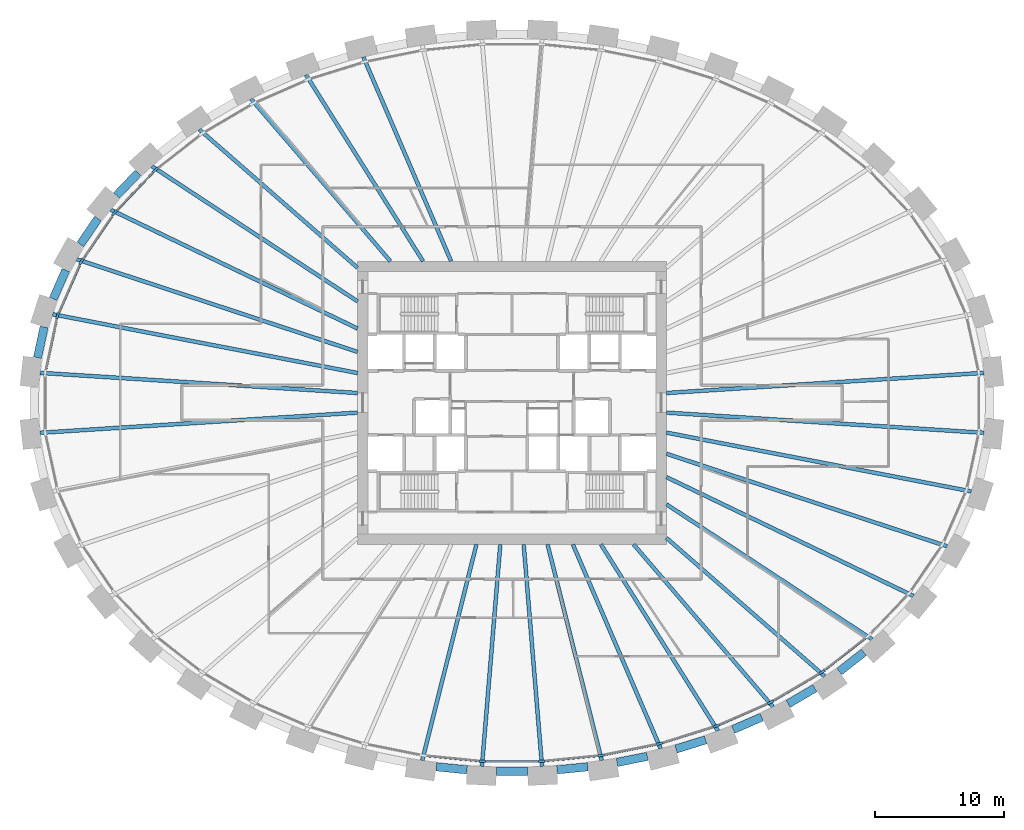
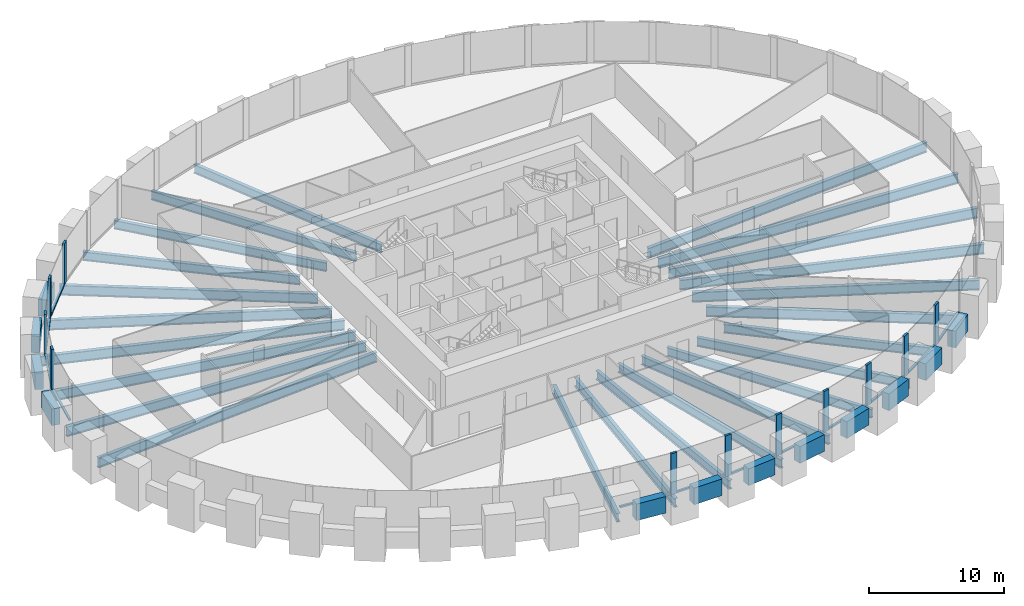
# One storey, part 2 of 10: 36 beams, 23 members, 1 element without a shape of its own.
"""IFC4 building model written with IfcOpenShell, lengths in metres."""

import ifcopenshell
import ifcopenshell.guid

model = None  # the IFC model being written
_history = None  # IfcOwnerHistory: only IFC2X3 demands one
_inside = {}  # id of a spatial element -> (the spatial element, [elements in it])
_under = {}  # id of a project, library or spatial element -> (it, [spatial elements below it])
_declared = {}  # id of a project -> (the project, [libraries it declares])
_typed = {}  # id of a type object -> (the type object, [elements of that type])
_made_of = {}  # id of a material, layer set ... -> (it, [elements and type objects made of it])


def new_model(schema):
    """Start an empty IFC model of exactly this schema.

    Asked for "IFC4X3", IfcOpenShell would pick the latest addendum, in which some entities
    have other attributes; the version numbers below select the first issue.
    IFC2X3 requires an IfcOwnerHistory on every rooted entity: one is made here for all.
    """
    global model, _history
    if schema == "IFC4X3":
        model = ifcopenshell.file(schema_version=(4, 3, 0, 0))
    else:
        model = ifcopenshell.file(schema=schema)
    _inside.clear()
    _under.clear()
    _declared.clear()
    _typed.clear()
    _made_of.clear()
    _history = None
    if model.schema == "IFC2X3":
        org = make("IfcOrganization", Name="unknown")
        user = make(
            "IfcPersonAndOrganization",
            ThePerson=make("IfcPerson", FamilyName="unknown"),
            TheOrganization=org,
        )
        app = make(
            "IfcApplication",
            ApplicationDeveloper=org,
            Version="unknown",
            ApplicationFullName="unknown",
            ApplicationIdentifier="unknown",
        )
        _history = make(
            "IfcOwnerHistory",
            OwningUser=user,
            OwningApplication=app,
            ChangeAction="ADDED",
            CreationDate=0,
        )
    return model


def make(cls, **values):
    """One entity of the class cls with the attributes given. An attribute that is None is left unset."""
    return model.create_entity(
        cls, **{name: value for name, value in values.items() if value is not None}
    )


def rooted(cls, **values):
    """An entity with a GlobalId (a new one), such as an element, a storey or a relation."""
    return make(cls, GlobalId=ifcopenshell.guid.new(), OwnerHistory=_history, **values)


def si_unit(unit_type, name, prefix=None):
    """IfcSIUnit, for example si_unit("LENGTHUNIT", "METRE", prefix="MILLI")."""
    return make("IfcSIUnit", UnitType=unit_type, Prefix=prefix, Name=name)


def assignment(units):
    """IfcUnitAssignment: the units of a project."""
    return None if units is None else make("IfcUnitAssignment", Units=units)


def point(xyz):
    """IfcCartesianPoint."""
    return None if xyz is None else make("IfcCartesianPoint", Coordinates=xyz)


def direction(xyz):
    """IfcDirection."""
    return None if xyz is None else make("IfcDirection", DirectionRatios=xyz)


def frame(location, z_axis=None, x_axis=None):
    """IfcAxis2Placement3D, a coordinate frame: its origin and axes. An axis left out is left unset."""
    return make(
        "IfcAxis2Placement3D",
        Location=point(location),
        Axis=direction(z_axis),
        RefDirection=direction(x_axis),
    )


def frame_2d(location, x_axis=None):
    """IfcAxis2Placement2D, a coordinate frame in the plane: its origin and x axis."""
    return make(
        "IfcAxis2Placement2D", Location=point(location), RefDirection=direction(x_axis)
    )


def origin():
    """The frame at (0, 0, 0) with its axes left unset."""
    return frame((0.0, 0.0, 0.0))


def origin_2d():
    """The frame at (0, 0) in the plane with its x axis left unset."""
    return frame_2d((0.0, 0.0))


def place(relative_to, where):
    """IfcLocalPlacement: puts the frame where relative to a parent placement (None: the world)."""
    return make(
        "IfcLocalPlacement", PlacementRelTo=relative_to, RelativePlacement=where
    )


def context(
    kind, dimensions, precision=None, world=None, true_north=None, identifier=None
):
    """IfcGeometricRepresentationContext, for example the 3D "Model" context."""
    return make(
        "IfcGeometricRepresentationContext",
        ContextIdentifier=identifier,
        ContextType=kind,
        CoordinateSpaceDimension=dimensions,
        Precision=precision,
        WorldCoordinateSystem=world,
        TrueNorth=true_north,
    )


def subcontext(parent, identifier, kind, view, scale=None):
    """IfcGeometricRepresentationSubContext, for example "Body" below "Model"."""
    return make(
        "IfcGeometricRepresentationSubContext",
        ContextIdentifier=identifier,
        ContextType=kind,
        ParentContext=parent,
        TargetScale=scale,
        TargetView=view,
    )


def project(units=None, contexts=None):
    """IfcProject with its units and contexts."""
    return rooted(
        "IfcProject",
        Name="project",
        RepresentationContexts=contexts,
        UnitsInContext=assignment(units),
    )


def spatial(cls, under=None, at=None, **own):
    """A site, building, storey or space (cls), placed at a placement, below another one or the project."""
    s = rooted(cls, ObjectPlacement=at, **own)
    if under is not None:
        _under.setdefault(under.id(), (under, []))[1].append(s)
    return s


def profile(cls, at=None, kind="AREA", **sizes):
    """A parametric profile (cls). Its sizes go by their IFC names, for example OverallWidth=200.0."""
    return make(cls, ProfileType=kind, Position=at, **sizes)


def rectangle(**sizes):
    """IfcRectangleProfileDef."""
    return profile("IfcRectangleProfileDef", **sizes)


def i_section(**sizes):
    """IfcIShapeProfileDef."""
    return profile("IfcIShapeProfileDef", **sizes)


def extrude(swept, where, along, depth):
    """IfcExtrudedAreaSolid: the profile swept, set in the frame where, extruded along a direction by depth."""
    return make(
        "IfcExtrudedAreaSolid",
        SweptArea=swept,
        Position=where,
        ExtrudedDirection=direction(along),
        Depth=depth,
    )


def shape(context_of_items, identifier, shape_type, items):
    """IfcShapeRepresentation: the items that make up one representation, for example the "Body"."""
    return make(
        "IfcShapeRepresentation",
        ContextOfItems=context_of_items,
        RepresentationIdentifier=identifier,
        RepresentationType=shape_type,
        Items=items,
    )


def source(mapping_origin, context_of_items, identifier, shape_type, items):
    """IfcRepresentationMap: a shape defined once, which mapped items show again and again."""
    return make(
        "IfcRepresentationMap",
        MappingOrigin=mapping_origin,
        MappedRepresentation=shape(context_of_items, identifier, shape_type, items),
    )


def transform(
    local_origin,
    x_axis=None,
    y_axis=None,
    z_axis=None,
    scale=None,
    scale2=None,
    scale3=None,
    uniform=True,
):
    """IfcCartesianTransformationOperator3D, or its non-uniform kind. x_axis, y_axis, z_axis: its Axis1, 2, 3."""
    if uniform:
        return make(
            "IfcCartesianTransformationOperator3D",
            Axis1=direction(x_axis),
            Axis2=direction(y_axis),
            LocalOrigin=point(local_origin),
            Scale=scale,
            Axis3=direction(z_axis),
        )
    return make(
        "IfcCartesianTransformationOperator3DnonUniform",
        Axis1=direction(x_axis),
        Axis2=direction(y_axis),
        LocalOrigin=point(local_origin),
        Scale=scale,
        Axis3=direction(z_axis),
        Scale2=scale2,
        Scale3=scale3,
    )


def mapped(mapping_source, mapping_target):
    """IfcMappedItem: shows the shape of a source again, moved by a transform."""
    return make(
        "IfcMappedItem", MappingSource=mapping_source, MappingTarget=mapping_target
    )


def material(Name=None, Category=None):
    """IfcMaterial."""
    return make("IfcMaterial", Name=Name, Category=Category)


def material_profile(
    of_material, cross_section, Name=None, Category=None, Priority=None
):
    """IfcMaterialProfile: a cross section and its material."""
    return make(
        "IfcMaterialProfile",
        Name=Name,
        Material=of_material,
        Profile=cross_section,
        Priority=Priority,
        Category=Category,
    )


def profile_set(profiles, Name=None, composite=None):
    """IfcMaterialProfileSet."""
    return make(
        "IfcMaterialProfileSet",
        Name=Name,
        MaterialProfiles=profiles,
        CompositeProfile=composite,
    )


def made_of(thing, what):
    """Note that an element or type object is made of a material, layer set ...; save() writes the relation."""
    if what is not None:
        _made_of.setdefault(what.id(), (what, []))[1].append(thing)
    return thing


def type_object(cls, material=None, **own):
    """A type object (cls), such as IfcWallType, which elements share."""
    return made_of(rooted(cls, **own), material)


def element(
    cls,
    number,
    at=None,
    inside=None,
    cuts=None,
    type_object=None,
    material=None,
    context=None,
    identifier="Body",
    shape_type=None,
    held_by="IfcProductDefinitionShape",
    body=None,
    shapes=None,
    **own,
):
    """One element of the class cls, such as IfcWall. Its Tag is "e" and its number.

    at: its placement. inside: the storey or other place that contains it. cuts: it is an
    opening in that element (IfcRelVoidsElement). A single representation is given by context,
    identifier, shape_type and body (its items); several are given by shapes. held_by: the class
    of the entity that holds the representations. save() writes the other relations.
    """
    e = rooted(cls, Tag="e%d" % number, ObjectPlacement=at, **own)
    if body is not None:
        shapes = [shape(context, identifier, shape_type, body)]
    if shapes is not None:
        e.Representation = make(held_by, Representations=shapes)
    if inside is not None:
        _inside.setdefault(inside.id(), (inside, []))[1].append(e)
    if cuts is not None:
        rooted(
            "IfcRelVoidsElement", RelatingBuildingElement=cuts, RelatedOpeningElement=e
        )
    if type_object is not None:
        _typed.setdefault(type_object.id(), (type_object, []))[1].append(e)
    return made_of(e, material)


def aggregate(whole, parts):
    """IfcRelAggregates: a whole, such as a stair, and the parts it consists of."""
    return rooted("IfcRelAggregates", RelatingObject=whole, RelatedObjects=parts)


def save(model, path):
    """Write the relations noted so far, then the file.

    IfcRelAggregates (storeys below a building ...), IfcRelContainedInSpatialStructure (elements
    in a storey), IfcRelDefinesByType, IfcRelAssociatesMaterial and IfcRelDeclares: one each for
    every whole, place, type object, material and project.
    """
    for whole, parts in _under.values():
        aggregate(whole, parts)
    for where, things in _inside.values():
        rooted(
            "IfcRelContainedInSpatialStructure",
            RelatedElements=things,
            RelatingStructure=where,
        )
    for kind, things in _typed.values():
        rooted("IfcRelDefinesByType", RelatedObjects=things, RelatingType=kind)
    for what, things in _made_of.values():
        rooted("IfcRelAssociatesMaterial", RelatedObjects=things, RelatingMaterial=what)
    for by, libraries in _declared.values():
        rooted("IfcRelDeclares", RelatingContext=by, RelatedDefinitions=libraries)
    model.write(path)


model = new_model("IFC4")

# Units and contexts
model_context = context("Model", 3, precision=1e-05, world=origin(), true_north=direction((0.0, 1.0)))
body_context = subcontext(model_context, "Body", "Model", "MODEL_VIEW")
ifc_project = project(units=[si_unit("LENGTHUNIT", "METRE"), si_unit("AREAUNIT", "SQUARE_METRE"), si_unit("VOLUMEUNIT", "CUBIC_METRE"), si_unit("PLANEANGLEUNIT", "RADIAN"), si_unit("MASSUNIT", "GRAM", prefix="KILO")], contexts=[model_context])

# Site, building, storey
site_placement = place(None, origin())
site = spatial("IfcSite", under=ifc_project, at=site_placement, CompositionType="ELEMENT")
building_placement = place(site_placement, origin())
building = spatial("IfcBuilding", under=site, at=building_placement, Name="Embergate Tower", CompositionType="ELEMENT")
storey_placement = place(building_placement, frame((0.0, 0.0, 163.800048828125)))
storey = spatial("IfcBuildingStorey", under=building, at=storey_placement, Name="L36", CompositionType="ELEMENT", Elevation=163.800048828125)

# Beams
ifc_material_1 = material(Name="Concrete C70", Category="concrete")
ifc_material_profile_1 = material_profile(ifc_material_1, rectangle(XDim=0.64990234375, YDim=1.5, at=origin_2d()), Name="RC 650x1500")
ifc_profile_set_1 = profile_set([ifc_material_profile_1], Name="Concrete C70")
beam_type_1 = type_object("IfcBeamType", Name="Spandrel beam RC 650x1500 C70", PredefinedType="BEAM", material=ifc_profile_set_1)
shared_shape_1 = source(origin(), body_context, "Body", "SweptSolid", [
    extrude(rectangle(XDim=0.64990234375, YDim=1.5, at=origin_2d()), origin(), (0.0, 0.0, 1.0), 2.439697265625),
])
beam_1_placement = place(storey_placement, frame((-36.35693359375, 5.89306640625, 0.0), z_axis=(-0.210738503873, -0.977542471193, 0.0), x_axis=(0.977542471193, -0.210738503873, 0.0)))
element("IfcBeam", 1, at=beam_1_placement, inside=storey, type_object=beam_type_1, Name="SPN-L36-20", PredefinedType="BEAM", context=body_context, shape_type="MappedRepresentation", body=[
    mapped(shared_shape_1, transform((0.0, 0.0, 0.0))),
])
shared_shape_2 = source(origin(), body_context, "Body", "SweptSolid", [
    extrude(rectangle(XDim=0.64990234375, YDim=1.5, at=origin_2d()), origin(), (0.0, 0.0, 1.0), 2.436279296875),
])
beam_2_placement = place(storey_placement, frame((-34.6708984375, 10.31201171875, 0.0), z_axis=(-0.401838418441, -0.915710590452, 0.0), x_axis=(0.915710590452, -0.401838418441, 0.0)))
element("IfcBeam", 2, at=beam_2_placement, inside=storey, type_object=beam_type_1, Name="SPN-L36-19", PredefinedType="BEAM", context=body_context, shape_type="MappedRepresentation", body=[
    mapped(shared_shape_2, transform((0.0, 0.0, 0.0))),
])
shared_shape_3 = source(origin(), body_context, "Body", "SweptSolid", [
    extrude(rectangle(XDim=0.64990234375, YDim=1.5, at=origin_2d()), origin(), (0.0, 0.0, 1.0), 2.42724609375),
])
beam_3_placement = place(storey_placement, frame((-32.175048828125, 14.322021484375, 0.0), z_axis=(-0.562359541569, -0.826892826191, 0.0), x_axis=(0.826892826191, -0.562359541569, 0.0)))
element("IfcBeam", 3, at=beam_3_placement, inside=storey, type_object=beam_type_1, Name="SPN-L36-18", PredefinedType="BEAM", context=body_context, shape_type="MappedRepresentation", body=[
    mapped(shared_shape_3, transform((0.0, 0.0, 0.0))),
])
shared_shape_4 = source(origin(), body_context, "Body", "SweptSolid", [
    extrude(rectangle(XDim=0.64990234375, YDim=1.5, at=origin_2d()), origin(), (0.0, 0.0, 1.0), 2.421630859375),
])
beam_4_placement = place(storey_placement, frame((-29.05908203125, 17.864013671875, 0.0), z_axis=(-0.68996725843, -0.723840577955, 0.0), x_axis=(0.723840577955, -0.68996725843, 0.0)))
element("IfcBeam", 4, at=beam_4_placement, inside=storey, type_object=beam_type_1, Name="SPN-L36-17", PredefinedType="BEAM", context=body_context, shape_type="MappedRepresentation", body=[
    mapped(shared_shape_4, transform((0.0, 0.0, 0.0))),
])
shared_shape_5 = source(origin(), body_context, "Body", "SweptSolid", [
    extrude(rectangle(XDim=0.64990234375, YDim=1.5, at=origin_2d()), origin(), (0.0, 0.0, 1.0), 2.415283203125),
])
beam_5_placement = place(storey_placement, frame((25.43701171875, -20.87890625, 0.0), z_axis=(0.788366005977, 0.61520650242, 0.0), x_axis=(-0.61520650242, 0.788366005977, 0.0)))
element("IfcBeam", 5, at=beam_5_placement, inside=storey, type_object=beam_type_1, Name="SPN-L36-38", PredefinedType="BEAM", context=body_context, shape_type="MappedRepresentation", body=[
    mapped(shared_shape_5, transform((0.0, 0.0, 0.0))),
])
shared_shape_6 = source(origin(), body_context, "Body", "SweptSolid", [
    extrude(rectangle(XDim=0.64990234375, YDim=1.5, at=origin_2d()), origin(), (0.0, 0.0, 1.0), 2.41015625),
])
beam_6_placement = place(storey_placement, frame((21.45703125, -23.39306640625, 0.0), z_axis=(0.862176302717, 0.506608352707, 0.0), x_axis=(-0.506608352707, 0.862176302717, 0.0)))
element("IfcBeam", 6, at=beam_6_placement, inside=storey, type_object=beam_type_1, Name="SPN-L36-37", PredefinedType="BEAM", context=body_context, shape_type="MappedRepresentation", body=[
    mapped(shared_shape_6, transform((0.0, 0.0, 0.0))),
])
shared_shape_7 = source(origin(), body_context, "Body", "SweptSolid", [
    extrude(rectangle(XDim=0.64990234375, YDim=1.5, at=origin_2d()), origin(), (0.0, 0.0, 1.0), 2.405029296875),
])
beam_7_placement = place(storey_placement, frame((17.195068359375, -25.384033203125, 0.0), z_axis=(0.916318010886, 0.400451373983, 0.0), x_axis=(-0.400451373983, 0.916318010886, 0.0)))
element("IfcBeam", 7, at=beam_7_placement, inside=storey, type_object=beam_type_1, Name="SPN-L36-36", PredefinedType="BEAM", context=body_context, shape_type="MappedRepresentation", body=[
    mapped(shared_shape_7, transform((0.0, 0.0, 0.0))),
])
shared_shape_8 = source(origin(), body_context, "Body", "SweptSolid", [
    extrude(rectangle(XDim=0.64990234375, YDim=1.5, at=origin_2d()), origin(), (0.0, 0.0, 1.0), 2.40283203125),
])
beam_8_placement = place(storey_placement, frame((12.74609375, -26.903076171875, 0.0), z_axis=(0.954689462561, 0.297603813946, 0.0), x_axis=(-0.297603813946, 0.954689462561, 0.0)))
element("IfcBeam", 8, at=beam_8_placement, inside=storey, type_object=beam_type_1, Name="SPN-L36-35", PredefinedType="BEAM", context=body_context, shape_type="MappedRepresentation", body=[
    mapped(shared_shape_8, transform((0.0, 0.0, 0.0))),
])
shared_shape_9 = source(origin(), body_context, "Body", "SweptSolid", [
    extrude(rectangle(XDim=0.64990234375, YDim=1.5, at=origin_2d()), origin(), (0.0, 0.0, 1.0), 2.402099609375),
])
beam_9_placement = place(storey_placement, frame((8.162109375, -27.945068359375, 0.0), z_axis=(0.980408294351, 0.196976080702, 0.0), x_axis=(-0.196976080702, 0.980408294351, 0.0)))
element("IfcBeam", 9, at=beam_9_placement, inside=storey, type_object=beam_type_1, Name="SPN-L36-34", PredefinedType="BEAM", context=body_context, shape_type="MappedRepresentation", body=[
    mapped(shared_shape_9, transform((0.0, 0.0, 0.0))),
])
shared_shape_10 = source(origin(), body_context, "Body", "SweptSolid", [
    extrude(rectangle(XDim=0.64990234375, YDim=1.5, at=origin_2d()), origin(), (0.0, 0.0, 1.0), 2.4013671875),
])
for number, where, z_axis, x_axis, name in (
    (10, (-5.886962890625, -28.283935546875, 0.0), (0.995235491499, -0.097500340826, 0.0), (0.097500340826, 0.995235491499, 0.0), "SPN-L36-31"),
    (11, (3.4970703125, -28.51806640625, 0.0), (0.995235491499, 0.097500340826, 0.0), (-0.097500340826, 0.995235491499, 0.0), "SPN-L36-33"),
):
    element("IfcBeam", number, at=place(storey_placement, frame(where, z_axis=z_axis, x_axis=x_axis)), inside=storey, type_object=beam_type_1, Name=name, PredefinedType="BEAM", context=body_context, shape_type="MappedRepresentation", body=[
        mapped(shared_shape_10, transform((0.0, 0.0, 0.0))),
    ])
shared_shape_11 = source(origin(), body_context, "Body", "SweptSolid", [
    extrude(rectangle(XDim=0.64990234375, YDim=1.5, at=origin_2d()), origin(), (0.0, 0.0, 1.0), 2.39990234375),
])
beam_10_placement = place(storey_placement, frame((-1.199951171875, -28.631103515625, 0.0), z_axis=(1.0, 0.0, 0.0), x_axis=(0.0, 1.0, 0.0)))
element("IfcBeam", 12, at=beam_10_placement, inside=storey, type_object=beam_type_1, Name="SPN-L36-32", PredefinedType="BEAM", context=body_context, shape_type="MappedRepresentation", body=[
    mapped(shared_shape_11, transform((0.0, 0.0, 0.0))),
])
ifc_material_2 = material(Name="Steel Q355B", Category="steel")
ifc_material_profile_2 = material_profile(ifc_material_2, i_section(OverallWidth=0.300048828125, OverallDepth=0.89990234375, WebThickness=0.01611328125, FlangeThickness=0.028076171875, FilletRadius=0.028076171875, at=origin_2d()), Name="HN 900x300x16x28")
ifc_profile_set_2 = profile_set([ifc_material_profile_2], Name="Steel Q355 grade B")
beam_type_2 = type_object("IfcBeamType", Name="Radial girder HN 900x300x16x28", PredefinedType="BEAM", material=ifc_profile_set_2)
shared_shape_12 = source(origin(), body_context, "Body", "SweptSolid", [
    extrude(i_section(OverallWidth=0.300048828125, OverallDepth=0.89990234375, WebThickness=0.01611328125, FlangeThickness=0.028076171875, FilletRadius=0.028076171875, at=origin_2d()), origin(), (0.0, 0.0, 1.0), 24.71875),
])
for number, where, z_axis, x_axis, name in (
    (13, (36.6689453125, 2.330078125, -0.650146484375), (-0.997985760611, -0.063438329247, 0.0), (0.063438329247, -0.997985760611, 0.0), "GIR-L36-00"),
    (14, (-36.6689453125, 2.330078125, -0.650146484375), (0.997985760611, -0.063438329247, 0.0), (0.063438329247, 0.997985760611, 0.0), "GIR-L36-21"),
    (15, (-36.6689453125, -2.330078125, -0.650146484375), (0.997985760611, 0.063438329247, 0.0), (-0.063438329247, 0.997985760611, 0.0), "GIR-L36-22"),
    (16, (36.6689453125, -2.330078125, -0.650146484375), (-0.997985760611, 0.063438329247, 0.0), (-0.063438329247, -0.997985760611, 0.0), "GIR-L36-43"),
):
    element("IfcBeam", number, at=place(storey_placement, frame(where, z_axis=z_axis, x_axis=x_axis)), inside=storey, type_object=beam_type_2, Name=name, PredefinedType="BEAM", context=body_context, shape_type="MappedRepresentation", body=[
        mapped(shared_shape_12, transform((0.0, 0.0, 0.0))),
    ])
shared_shape_13 = source(origin(), body_context, "Body", "SweptSolid", [
    extrude(i_section(OverallWidth=0.300048828125, OverallDepth=0.89990234375, WebThickness=0.01611328125, FlangeThickness=0.028076171875, FilletRadius=0.028076171875, at=origin_2d()), origin(), (0.0, 0.0, 1.0), 24.12548828125),
])
for number, where, z_axis, x_axis, name in (
    (17, (-35.68896484375, 6.884033203125, -0.650146484375), (0.981902359672, -0.189387845628, 0.0), (0.189387845628, 0.981902359672, 0.0), "GIR-L36-20"),
    (18, (35.68896484375, -6.884033203125, -0.650146484375), (-0.981902359672, 0.189387845628, 0.0), (-0.189387845628, -0.981902359672, 0.0), "GIR-L36-42"),
):
    element("IfcBeam", number, at=place(storey_placement, frame(where, z_axis=z_axis, x_axis=x_axis)), inside=storey, type_object=beam_type_2, Name=name, PredefinedType="BEAM", context=body_context, shape_type="MappedRepresentation", body=[
        mapped(shared_shape_13, transform((0.0, 0.0, 0.0))),
    ])
shared_shape_14 = source(origin(), body_context, "Body", "SweptSolid", [
    extrude(i_section(OverallWidth=0.300048828125, OverallDepth=0.89990234375, WebThickness=0.01611328125, FlangeThickness=0.028076171875, FilletRadius=0.028076171875, at=origin_2d()), origin(), (0.0, 0.0, 1.0), 22.97265625),
])
for number, where, z_axis, x_axis, name in (
    (19, (-33.81689453125, 11.152099609375, -0.650146484375), (0.949687014879, -0.313200532838, 0.0), (0.313200532838, 0.949687014879, 0.0), "GIR-L36-19"),
    (20, (33.81689453125, -11.152099609375, -0.650146484375), (-0.949687014879, 0.313200532838, 0.0), (-0.313200532838, -0.949687014879, 0.0), "GIR-L36-41"),
):
    element("IfcBeam", number, at=place(storey_placement, frame(where, z_axis=z_axis, x_axis=x_axis)), inside=storey, type_object=beam_type_2, Name=name, PredefinedType="BEAM", context=body_context, shape_type="MappedRepresentation", body=[
        mapped(shared_shape_14, transform((0.0, 0.0, 0.0))),
    ])
shared_shape_15 = source(origin(), body_context, "Body", "SweptSolid", [
    extrude(i_section(OverallWidth=0.300048828125, OverallDepth=0.89990234375, WebThickness=0.01611328125, FlangeThickness=0.028076171875, FilletRadius=0.028076171875, at=origin_2d()), origin(), (0.0, 0.0, 1.0), 21.301025390625),
])
for number, where, z_axis, x_axis, name in (
    (21, (-31.195068359375, 15.008056640625, -0.650146484375), (0.901129390798, -0.433550252035, 0.0), (0.433550252035, 0.901129390798, 0.0), "GIR-L36-18"),
    (22, (31.195068359375, -15.008056640625, -0.650146484375), (-0.901129390798, 0.433550252035, 0.0), (-0.433550252035, -0.901129390798, 0.0), "GIR-L36-40"),
):
    element("IfcBeam", number, at=place(storey_placement, frame(where, z_axis=z_axis, x_axis=x_axis)), inside=storey, type_object=beam_type_2, Name=name, PredefinedType="BEAM", context=body_context, shape_type="MappedRepresentation", body=[
        mapped(shared_shape_15, transform((0.0, 0.0, 0.0))),
    ])
shared_shape_16 = source(origin(), body_context, "Body", "SweptSolid", [
    extrude(i_section(OverallWidth=0.300048828125, OverallDepth=0.89990234375, WebThickness=0.01611328125, FlangeThickness=0.028076171875, FilletRadius=0.028076171875, at=origin_2d()), origin(), (0.0, 0.0, 1.0), 19.1181640625),
])
for number, where, z_axis, x_axis, name in (
    (23, (-27.97802734375, 18.382080078125, -0.650146484375), (0.835748679781, -0.549112141775, 0.0), (0.549112141775, 0.835748679781, 0.0), "GIR-L36-17"),
    (24, (27.97802734375, -18.382080078125, -0.650146484375), (-0.835748679781, 0.549112141775, 0.0), (-0.549112141775, -0.835748679781, 0.0), "GIR-L36-39"),
):
    element("IfcBeam", number, at=place(storey_placement, frame(where, z_axis=z_axis, x_axis=x_axis)), inside=storey, type_object=beam_type_2, Name=name, PredefinedType="BEAM", context=body_context, shape_type="MappedRepresentation", body=[
        mapped(shared_shape_16, transform((0.0, 0.0, 0.0))),
    ])
ifc_material_profile_3 = material_profile(ifc_material_2, i_section(OverallWidth=0.300048828125, OverallDepth=0.800048828125, WebThickness=0.013916015625, FlangeThickness=0.02587890625, FilletRadius=0.028076171875, at=origin_2d()), Name="HN 800x300x14x26")
ifc_profile_set_3 = profile_set([ifc_material_profile_3], Name="Steel Q355 grade B")
beam_type_3 = type_object("IfcBeamType", Name="Radial girder HN 800x300x14x26", PredefinedType="BEAM", material=ifc_profile_set_3)
shared_shape_17 = source(origin(), body_context, "Body", "SweptSolid", [
    extrude(i_section(OverallWidth=0.300048828125, OverallDepth=0.800048828125, WebThickness=0.013916015625, FlangeThickness=0.02587890625, FilletRadius=0.028076171875, at=origin_2d()), origin(), (0.0, 0.0, 1.0), 16.341796875),
])
for number, where, z_axis, x_axis, name in (
    (25, (-24.301025390625, 21.251953125, -0.60009765625), (0.752738629267, -0.65831949387, 0.0), (0.65831949387, 0.752738629267, 0.0), "GIR-L36-16"),
    (26, (24.301025390625, -21.251953125, -0.60009765625), (-0.752738629267, 0.65831949387, 0.0), (-0.65831949387, -0.752738629267, 0.0), "GIR-L36-38"),
):
    element("IfcBeam", number, at=place(storey_placement, frame(where, z_axis=z_axis, x_axis=x_axis)), inside=storey, type_object=beam_type_3, Name=name, PredefinedType="BEAM", context=body_context, shape_type="MappedRepresentation", body=[
        mapped(shared_shape_17, transform((0.0, 0.0, 0.0))),
    ])
shared_shape_18 = source(origin(), body_context, "Body", "SweptSolid", [
    extrude(i_section(OverallWidth=0.300048828125, OverallDepth=0.800048828125, WebThickness=0.013916015625, FlangeThickness=0.02587890625, FilletRadius=0.028076171875, at=origin_2d()), origin(), (0.0, 0.0, 1.0), 16.62939453125),
])
for number, where, z_axis, x_axis, name in (
    (27, (-20.280029296875, 23.615966796875, -0.60009765625), (0.651494757219, -0.758653136364, 0.0), (0.758653136364, 0.651494757219, 0.0), "GIR-L36-15"),
    (28, (20.280029296875, -23.615966796875, -0.60009765625), (-0.651494757219, 0.758653136364, 0.0), (-0.758653136364, -0.651494757219, 0.0), "GIR-L36-37"),
):
    element("IfcBeam", number, at=place(storey_placement, frame(where, z_axis=z_axis, x_axis=x_axis)), inside=storey, type_object=beam_type_3, Name=name, PredefinedType="BEAM", context=body_context, shape_type="MappedRepresentation", body=[
        mapped(shared_shape_18, transform((0.0, 0.0, 0.0))),
    ])
shared_shape_19 = source(origin(), body_context, "Body", "SweptSolid", [
    extrude(i_section(OverallWidth=0.300048828125, OverallDepth=0.800048828125, WebThickness=0.013916015625, FlangeThickness=0.02587890625, FilletRadius=0.028076171875, at=origin_2d()), origin(), (0.0, 0.0, 1.0), 17.103271484375),
])
for number, where, z_axis, x_axis, name in (
    (29, (-16.0048828125, 25.48388671875, -0.60009765625), (0.531827416629, -0.846852761064, 0.0), (0.846852761064, 0.531827416629, 0.0), "GIR-L36-14"),
    (30, (16.0048828125, -25.48388671875, -0.60009765625), (-0.531827416629, 0.846852761064, 0.0), (-0.846852761064, -0.531827416629, 0.0), "GIR-L36-36"),
):
    element("IfcBeam", number, at=place(storey_placement, frame(where, z_axis=z_axis, x_axis=x_axis)), inside=storey, type_object=beam_type_3, Name=name, PredefinedType="BEAM", context=body_context, shape_type="MappedRepresentation", body=[
        mapped(shared_shape_19, transform((0.0, 0.0, 0.0))),
    ])
shared_shape_20 = source(origin(), body_context, "Body", "SweptSolid", [
    extrude(i_section(OverallWidth=0.300048828125, OverallDepth=0.800048828125, WebThickness=0.013916015625, FlangeThickness=0.02587890625, FilletRadius=0.028076171875, at=origin_2d()), origin(), (0.0, 0.0, 1.0), 17.2763671875),
])
for number, where, z_axis, x_axis, name in (
    (31, (-11.551025390625, 26.8720703125, -0.60009765625), (0.394930430289, -0.918711029232, 0.0), (0.918711029232, 0.394930430289, 0.0), "GIR-L36-13"),
    (32, (11.551025390625, -26.8720703125, -0.60009765625), (-0.394930430289, 0.918711029232, 0.0), (-0.918711029232, -0.394930430289, 0.0), "GIR-L36-35"),
):
    element("IfcBeam", number, at=place(storey_placement, frame(where, z_axis=z_axis, x_axis=x_axis)), inside=storey, type_object=beam_type_3, Name=name, PredefinedType="BEAM", context=body_context, shape_type="MappedRepresentation", body=[
        mapped(shared_shape_20, transform((0.0, 0.0, 0.0))),
    ])
shared_shape_21 = source(origin(), body_context, "Body", "SweptSolid", [
    extrude(i_section(OverallWidth=0.300048828125, OverallDepth=0.800048828125, WebThickness=0.013916015625, FlangeThickness=0.02587890625, FilletRadius=0.028076171875, at=origin_2d()), origin(), (0.0, 0.0, 1.0), 17.31103515625),
])
for number, where, z_axis, x_axis, name in (
    (33, (-6.97607421875, -27.7900390625, -0.60009765625), (0.243491204419, 0.969903105145, 0.0), (-0.969903105145, 0.243491204419, 0.0), "GIR-L36-31"),
    (34, (6.97607421875, -27.7900390625, -0.60009765625), (-0.243491204419, 0.969903105145, 0.0), (-0.969903105145, -0.243491204419, 0.0), "GIR-L36-34"),
):
    element("IfcBeam", number, at=place(storey_placement, frame(where, z_axis=z_axis, x_axis=x_axis)), inside=storey, type_object=beam_type_3, Name=name, PredefinedType="BEAM", context=body_context, shape_type="MappedRepresentation", body=[
        mapped(shared_shape_21, transform((0.0, 0.0, 0.0))),
    ])
shared_shape_22 = source(origin(), body_context, "Body", "SweptSolid", [
    extrude(i_section(OverallWidth=0.300048828125, OverallDepth=0.800048828125, WebThickness=0.013916015625, FlangeThickness=0.02587890625, FilletRadius=0.028076171875, at=origin_2d()), origin(), (0.0, 0.0, 1.0), 17.304931640625),
])
for number, where, z_axis, x_axis, name in (
    (35, (-2.3330078125, -28.24609375, -0.60009765625), (0.082349584625, 0.996603504866, 0.0), (-0.996603504866, 0.082349584625, 0.0), "GIR-L36-32"),
    (36, (2.3330078125, -28.24609375, -0.60009765625), (-0.082349584625, 0.996603504866, 0.0), (-0.996603504866, -0.082349584625, 0.0), "GIR-L36-33"),
):
    element("IfcBeam", number, at=place(storey_placement, frame(where, z_axis=z_axis, x_axis=x_axis)), inside=storey, type_object=beam_type_3, Name=name, PredefinedType="BEAM", context=body_context, shape_type="MappedRepresentation", body=[
        mapped(shared_shape_22, transform((0.0, 0.0, 0.0))),
    ])

# Curtain wall, members
ifc_material_3 = material(Name="Aluminium and glass", Category="aluminium")
curtain_wall_type = type_object("IfcCurtainWallType", Name="Recessed office glazing", PredefinedType="NOTDEFINED", material=ifc_material_3)
curtain_wall_placement = place(storey_placement, origin())
curtain_wall = element("IfcCurtainWall", 37, at=curtain_wall_placement, inside=storey, type_object=curtain_wall_type, Name="Recessed office glazing ring", ObjectType="RECESSED OFFICE GLAZING", PredefinedType="USERDEFINED")
ifc_material_4 = material(Name="Aluminium, thermally broken", Category="aluminium")
ifc_material_profile_4 = material_profile(ifc_material_4, rectangle(XDim=0.179931640625, YDim=0.52001953125, at=origin_2d()), Name="AL 520x180")
ifc_profile_set_4 = profile_set([ifc_material_profile_4], Name="Aluminium, thermally broken")
member_type_1 = type_object("IfcMemberType", Name="Office mullion", PredefinedType="MULLION", material=ifc_profile_set_4)
shared_shape_23 = source(origin(), body_context, "Body", "SweptSolid", [
    extrude(rectangle(XDim=0.179931640625, YDim=0.52001953125, at=origin_2d()), origin(), (0.0, 0.0, 1.0), 3.699951171875),
])
member_1_placement = place(storey_placement, frame((-27.716796875, 18.092041015625, 0.0), z_axis=(0.0, 0.0, 1.0), x_axis=(0.671226533956, -0.741252278319, 0.0)))
member_1 = element("IfcMember", 38, at=member_1_placement, type_object=member_type_1, Name="CW mullion 18", PredefinedType="MULLION", context=body_context, shape_type="MappedRepresentation", body=[
    mapped(shared_shape_23, transform((0.0, 0.0, 0.0))),
])
member_2_placement = place(storey_placement, frame((-30.89306640625, 14.76123046875, 0.0), z_axis=(0.0, 0.0, 1.0), x_axis=(0.777872564355, -0.628422050555, 0.0)))
member_2 = element("IfcMember", 39, at=member_2_placement, type_object=member_type_1, Name="CW mullion 19", PredefinedType="MULLION", context=body_context, shape_type="MappedRepresentation", body=[
    mapped(shared_shape_23, transform((0.0, 0.0, 0.0))),
])
member_3_placement = place(storey_placement, frame((-33.4765625, 10.96240234375, 0.0), z_axis=(0.0, 0.0, 1.0), x_axis=(0.875001895832, -0.484119491748, 0.0)))
member_3 = element("IfcMember", 40, at=member_3_placement, type_object=member_type_1, Name="CW mullion 20", PredefinedType="MULLION", context=body_context, shape_type="MappedRepresentation", body=[
    mapped(shared_shape_23, transform((0.0, 0.0, 0.0))),
])
member_4_placement = place(storey_placement, frame((-35.318115234375, 6.763427734375, 0.0), z_axis=(0.0, 0.0, 1.0), x_axis=(0.951497797992, -0.307655554826, 0.0)))
member_4 = element("IfcMember", 41, at=member_4_placement, type_object=member_type_1, Name="CW mullion 21", PredefinedType="MULLION", context=body_context, shape_type="MappedRepresentation", body=[
    mapped(shared_shape_23, transform((0.0, 0.0, 0.0))),
])
member_5_placement = place(storey_placement, frame((-2.31396484375, -27.8564453125, 0.0), z_axis=(0.0, 0.0, 1.0), x_axis=(0.048971796621, 0.998800161762, 0.0)))
member_5 = element("IfcMember", 42, at=member_5_placement, type_object=member_type_1, Name="CW mullion 33", PredefinedType="MULLION", context=body_context, shape_type="MappedRepresentation", body=[
    mapped(shared_shape_23, transform((0.0, 0.0, 0.0))),
])
member_6_placement = place(storey_placement, frame((2.31396484375, -27.8564453125, 0.0), z_axis=(0.0, 0.0, 1.0), x_axis=(-0.048971796621, 0.998800161762, 0.0)))
member_6 = element("IfcMember", 43, at=member_6_placement, type_object=member_type_1, Name="CW mullion 34", PredefinedType="MULLION", context=body_context, shape_type="MappedRepresentation", body=[
    mapped(shared_shape_23, transform((0.0, 0.0, 0.0))),
])
member_7_placement = place(storey_placement, frame((6.919189453125, -27.40380859375, 0.0), z_axis=(0.0, 0.0, 1.0), x_axis=(-0.147412382818, 0.989075118174, 0.0)))
member_7 = element("IfcMember", 44, at=member_7_placement, type_object=member_type_1, Name="CW mullion 35", PredefinedType="MULLION", context=body_context, shape_type="MappedRepresentation", body=[
    mapped(shared_shape_23, transform((0.0, 0.0, 0.0))),
])
member_8_placement = place(storey_placement, frame((11.454833984375, -26.494140625, 0.0), z_axis=(0.0, 0.0, 1.0), x_axis=(-0.24731188137, 0.968935928394, 0.0)))
member_8 = element("IfcMember", 45, at=member_8_placement, type_object=member_type_1, Name="CW mullion 36", PredefinedType="MULLION", context=body_context, shape_type="MappedRepresentation", body=[
    mapped(shared_shape_23, transform((0.0, 0.0, 0.0))),
])
member_9_placement = place(storey_placement, frame((15.86962890625, -25.119384765625, 0.0), z_axis=(0.0, 0.0, 1.0), x_axis=(-0.349502682851, 0.936935363128, 0.0)))
member_9 = element("IfcMember", 46, at=member_9_placement, type_object=member_type_1, Name="CW mullion 37", PredefinedType="MULLION", context=body_context, shape_type="MappedRepresentation", body=[
    mapped(shared_shape_23, transform((0.0, 0.0, 0.0))),
])
member_10_placement = place(storey_placement, frame((20.103271484375, -23.26806640625, 0.0), z_axis=(0.0, 0.0, 1.0), x_axis=(-0.454509825889, 0.890741723605, 0.0)))
member_10 = element("IfcMember", 47, at=member_10_placement, type_object=member_type_1, Name="CW mullion 38", PredefinedType="MULLION", context=body_context, shape_type="MappedRepresentation", body=[
    mapped(shared_shape_23, transform((0.0, 0.0, 0.0))),
])
member_11_placement = place(storey_placement, frame((24.08251953125, -20.9287109375, 0.0), z_axis=(0.0, 0.0, 1.0), x_axis=(-0.562216175174, 0.826990309721, 0.0)))
member_11 = element("IfcMember", 48, at=member_11_placement, type_object=member_type_1, Name="CW mullion 39", PredefinedType="MULLION", context=body_context, shape_type="MappedRepresentation", body=[
    mapped(shared_shape_23, transform((0.0, 0.0, 0.0))),
])
ifc_material_profile_5 = material_profile(ifc_material_4, rectangle(XDim=0.179931640625, YDim=0.14990234375, at=origin_2d()), Name="AL 150x180")
ifc_profile_set_5 = profile_set([ifc_material_profile_5], Name="Aluminium, thermally broken")
member_type_2 = type_object("IfcMemberType", Name="Office sill transom", PredefinedType="USERDEFINED", material=ifc_profile_set_5)
shared_shape_24 = source(origin(), body_context, "Body", "SweptSolid", [
    extrude(rectangle(XDim=0.179931640625, YDim=0.14990234375, at=origin_2d()), origin(), (0.0, 0.0, 1.0), 4.05810546875),
])
member_12_placement = place(storey_placement, frame((-35.372802734375, 6.50927734375, 0.074951171875), z_axis=(-0.210441087969, -0.977606540738, 0.0), x_axis=(0.977606540738, -0.210441087969, 0.0)))
member_12 = element("IfcMember", 49, at=member_12_placement, type_object=member_type_2, Name="CW transom 21.1", ObjectType="TRANSOM", PredefinedType="USERDEFINED", context=body_context, shape_type="MappedRepresentation", body=[
    mapped(shared_shape_24, transform((0.0, 0.0, 0.0))),
])
shared_shape_25 = source(origin(), body_context, "Body", "SweptSolid", [
    extrude(rectangle(XDim=0.179931640625, YDim=0.14990234375, at=origin_2d()), origin(), (0.0, 0.0, 1.0), 4.06494140625),
])
member_13_placement = place(storey_placement, frame((-33.580810546875, 10.724365234375, 0.074951171875), z_axis=(-0.401675633899, -0.91578200743, 0.0), x_axis=(0.91578200743, -0.401675633899, 0.0)))
member_13 = element("IfcMember", 50, at=member_13_placement, type_object=member_type_2, Name="CW transom 20.1", ObjectType="TRANSOM", PredefinedType="USERDEFINED", context=body_context, shape_type="MappedRepresentation", body=[
    mapped(shared_shape_25, transform((0.0, 0.0, 0.0))),
])
shared_shape_26 = source(origin(), body_context, "Body", "SweptSolid", [
    extrude(rectangle(XDim=0.179931640625, YDim=0.14990234375, at=origin_2d()), origin(), (0.0, 0.0, 1.0), 4.073974609375),
])
member_14_placement = place(storey_placement, frame((-31.039306640625, 14.54638671875, 0.074951171875), z_axis=(-0.562337885641, -0.826907553704, 0.0), x_axis=(0.826907553704, -0.562337885641, 0.0)))
member_14 = element("IfcMember", 51, at=member_14_placement, type_object=member_type_2, Name="CW transom 19.1", ObjectType="TRANSOM", PredefinedType="USERDEFINED", context=body_context, shape_type="MappedRepresentation", body=[
    mapped(shared_shape_26, transform((0.0, 0.0, 0.0))),
])
shared_shape_27 = source(origin(), body_context, "Body", "SweptSolid", [
    extrude(rectangle(XDim=0.179931640625, YDim=0.14990234375, at=origin_2d()), origin(), (0.0, 0.0, 1.0), 4.082763671875),
])
member_15_placement = place(storey_placement, frame((-27.89599609375, 17.904052734375, 0.074951171875), z_axis=(-0.690134333582, -0.723681284552, 0.0), x_axis=(0.723681284552, -0.690134333582, 0.0)))
member_15 = element("IfcMember", 52, at=member_15_placement, type_object=member_type_2, Name="CW transom 18.1", ObjectType="TRANSOM", PredefinedType="USERDEFINED", context=body_context, shape_type="MappedRepresentation", body=[
    mapped(shared_shape_27, transform((0.0, 0.0, 0.0))),
])
shared_shape_28 = source(origin(), body_context, "Body", "SweptSolid", [
    extrude(rectangle(XDim=0.179931640625, YDim=0.14990234375, at=origin_2d()), origin(), (0.0, 0.0, 1.0), 4.090087890625),
])
member_16_placement = place(storey_placement, frame((24.287353515625, -20.7685546875, 0.074951171875), z_axis=(0.788341910095, 0.615237379219, 0.0), x_axis=(-0.615237379219, 0.788341910095, 0.0)))
member_16 = element("IfcMember", 53, at=member_16_placement, type_object=member_type_2, Name="CW transom 39.1", ObjectType="TRANSOM", PredefinedType="USERDEFINED", context=body_context, shape_type="MappedRepresentation", body=[
    mapped(shared_shape_28, transform((0.0, 0.0, 0.0))),
])
shared_shape_29 = source(origin(), body_context, "Body", "SweptSolid", [
    extrude(rectangle(XDim=0.179931640625, YDim=0.14990234375, at=origin_2d()), origin(), (0.0, 0.0, 1.0), 4.095947265625),
])
member_17_placement = place(storey_placement, frame((20.327392578125, -23.13623046875, 0.074951171875), z_axis=(0.86205523764, 0.506814332134, 0.0), x_axis=(-0.506814332134, 0.86205523764, 0.0)))
member_17 = element("IfcMember", 54, at=member_17_placement, type_object=member_type_2, Name="CW transom 38.1", ObjectType="TRANSOM", PredefinedType="USERDEFINED", context=body_context, shape_type="MappedRepresentation", body=[
    mapped(shared_shape_29, transform((0.0, 0.0, 0.0))),
])
shared_shape_30 = source(origin(), body_context, "Body", "SweptSolid", [
    extrude(rectangle(XDim=0.179931640625, YDim=0.14990234375, at=origin_2d()), origin(), (0.0, 0.0, 1.0), 4.1005859375),
])
member_18_placement = place(storey_placement, frame((16.10791015625, -25.01513671875, 0.074951171875), z_axis=(0.916237937351, 0.400634549382, 0.0), x_axis=(-0.400634549382, 0.916237937351, 0.0)))
member_18 = element("IfcMember", 55, at=member_18_placement, type_object=member_type_2, Name="CW transom 37.1", ObjectType="TRANSOM", PredefinedType="USERDEFINED", context=body_context, shape_type="MappedRepresentation", body=[
    mapped(shared_shape_30, transform((0.0, 0.0, 0.0))),
])
shared_shape_31 = source(origin(), body_context, "Body", "SweptSolid", [
    extrude(rectangle(XDim=0.179931640625, YDim=0.14990234375, at=origin_2d()), origin(), (0.0, 0.0, 1.0), 4.103759765625),
])
member_19_placement = place(storey_placement, frame((11.703125, -26.416748046875, 0.074951171875), z_axis=(0.954772738111, 0.297336540911, 0.0), x_axis=(-0.297336540911, 0.954772738111, 0.0)))
member_19 = element("IfcMember", 56, at=member_19_placement, type_object=member_type_2, Name="CW transom 36.1", ObjectType="TRANSOM", PredefinedType="USERDEFINED", context=body_context, shape_type="MappedRepresentation", body=[
    mapped(shared_shape_31, transform((0.0, 0.0, 0.0))),
])
shared_shape_32 = source(origin(), body_context, "Body", "SweptSolid", [
    extrude(rectangle(XDim=0.179931640625, YDim=0.14990234375, at=origin_2d()), origin(), (0.0, 0.0, 1.0), 4.10595703125),
])
member_20_placement = place(storey_placement, frame((7.174072265625, -27.352783203125, 0.074951171875), z_axis=(0.980477631016, 0.196630656505, 0.0), x_axis=(-0.196630656505, 0.980477631016, 0.0)))
member_20 = element("IfcMember", 57, at=member_20_placement, type_object=member_type_2, Name="CW transom 35.1", ObjectType="TRANSOM", PredefinedType="USERDEFINED", context=body_context, shape_type="MappedRepresentation", body=[
    mapped(shared_shape_32, transform((0.0, 0.0, 0.0))),
])
shared_shape_33 = source(origin(), body_context, "Body", "SweptSolid", [
    extrude(rectangle(XDim=0.179931640625, YDim=0.14990234375, at=origin_2d()), origin(), (0.0, 0.0, 1.0), 4.107666015625),
])
member_21_placement = place(storey_placement, frame((-6.660400390625, -27.42919921875, 0.074951171875), z_axis=(0.995202914721, -0.097832297995, 0.0), x_axis=(0.097832297995, 0.995202914721, 0.0)))
member_21 = element("IfcMember", 58, at=member_21_placement, type_object=member_type_2, Name="CW transom 32.1", ObjectType="TRANSOM", PredefinedType="USERDEFINED", context=body_context, shape_type="MappedRepresentation", body=[
    mapped(shared_shape_33, transform((0.0, 0.0, 0.0))),
])
member_22_placement = place(storey_placement, frame((2.572509765625, -27.8310546875, 0.074951171875), z_axis=(0.995202914721, 0.097832297995, 0.0), x_axis=(-0.097832297995, 0.995202914721, 0.0)))
member_22 = element("IfcMember", 59, at=member_22_placement, type_object=member_type_2, Name="CW transom 34.1", ObjectType="TRANSOM", PredefinedType="USERDEFINED", context=body_context, shape_type="MappedRepresentation", body=[
    mapped(shared_shape_33, transform((0.0, 0.0, 0.0))),
])
shared_shape_34 = source(origin(), body_context, "Body", "SweptSolid", [
    extrude(rectangle(XDim=0.179931640625, YDim=0.14990234375, at=origin_2d()), origin(), (0.0, 0.0, 1.0), 4.10791015625),
])
member_23_placement = place(storey_placement, frame((-2.053955078125, -27.8564453125, 0.074951171875), z_axis=(1.0, 0.0, 0.0), x_axis=(0.0, 1.0, 0.0)))
member_23 = element("IfcMember", 60, at=member_23_placement, type_object=member_type_2, Name="CW transom 33.1", ObjectType="TRANSOM", PredefinedType="USERDEFINED", context=body_context, shape_type="MappedRepresentation", body=[
    mapped(shared_shape_34, transform((0.0, 0.0, 0.0))),
])
aggregate(curtain_wall, [member_1, member_2, member_3, member_4, member_5, member_6, member_7, member_8, member_9, member_10, member_11, member_15, member_14, member_13, member_12, member_21, member_23, member_22, member_20, member_19, member_18, member_17, member_16])

save(model, "model.ifc")
